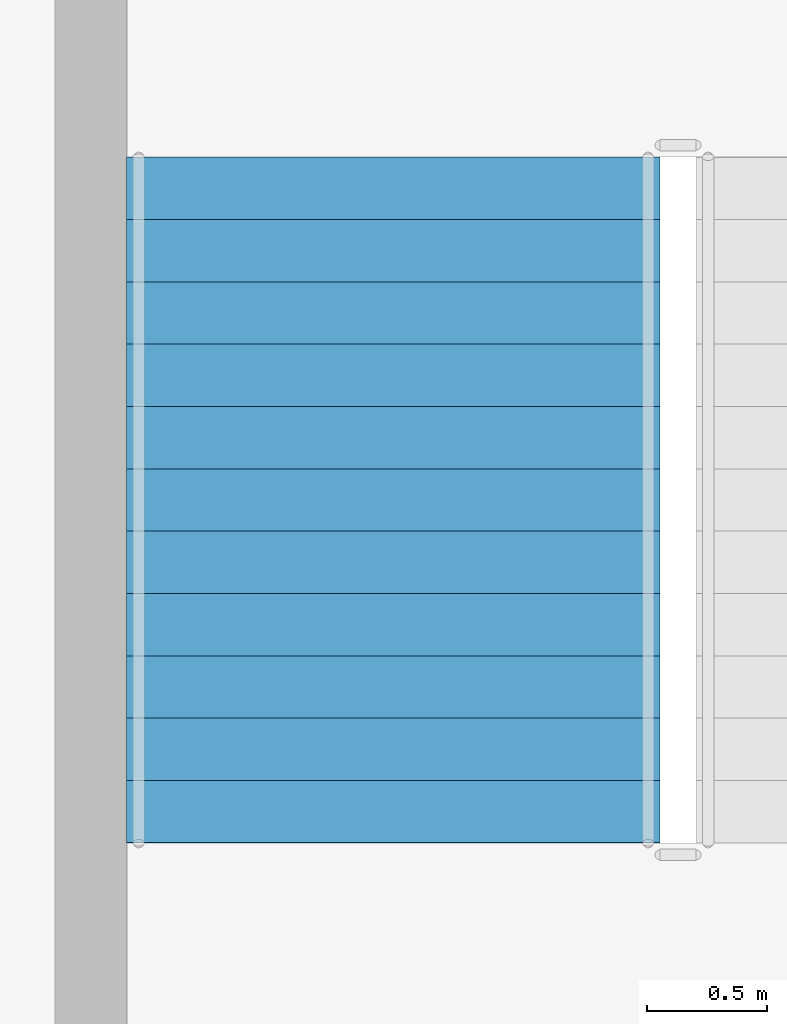
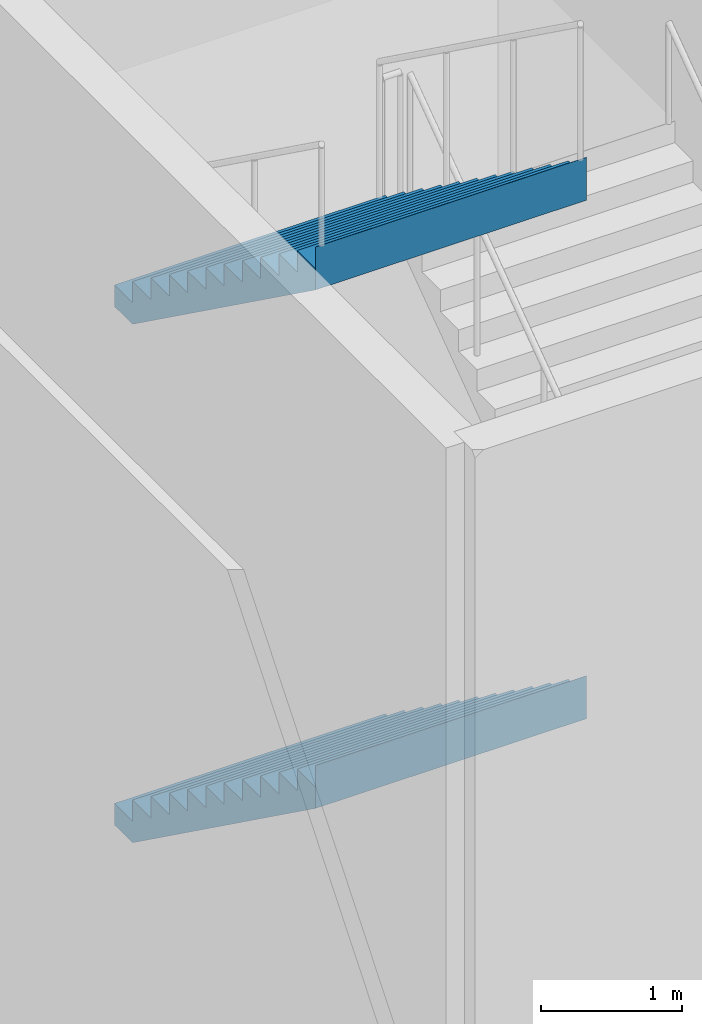
# One storey, part 25 of 35: 2 stair flights, 1 element without a shape of its own.
"""IFC4 building model written with IfcOpenShell, lengths in metres."""

from ifc_helpers import new_model, si_unit, direction, frame, origin, place, context, subcontext, project, spatial, triangles, material, type_object, element, aggregate, save


model = new_model("IFC4")

# Units and contexts
model_context = context("Model", 3, precision=1e-05, world=origin(), true_north=direction((0.0, 1.0)))
body_context = subcontext(model_context, "Body", "Model", "MODEL_VIEW")
ifc_project = project(units=[si_unit("LENGTHUNIT", "METRE"), si_unit("AREAUNIT", "SQUARE_METRE"), si_unit("VOLUMEUNIT", "CUBIC_METRE"), si_unit("PLANEANGLEUNIT", "RADIAN"), si_unit("MASSUNIT", "GRAM", prefix="KILO")], contexts=[model_context])

# Site, building, storey
site_placement = place(None, origin())
site = spatial("IfcSite", under=ifc_project, at=site_placement, CompositionType="ELEMENT")
building_placement = place(site_placement, origin())
building = spatial("IfcBuilding", under=site, at=building_placement, Name="Sahrelin Media Tower", CompositionType="ELEMENT")
storey_placement = place(building_placement, frame((0.0, 0.0, 17.0)))
storey = spatial("IfcBuildingStorey", under=building, at=storey_placement, Name="L02", CompositionType="ELEMENT", Elevation=17.0)

# Stair, stair flights
ifc_material = material(Name="Concrete C40/50", Category="concrete")
stair_type = type_object("IfcStairType", Name="Podium stair 2225", PredefinedType="HALF_TURN_STAIR", material=ifc_material)
stair_placement = place(storey_placement, origin())
stair = element("IfcStair", 1, at=stair_placement, inside=storey, type_object=stair_type, Name="L02 Podium stair PS1", PredefinedType="HALF_TURN_STAIR")
stair_flight_type = type_object("IfcStairFlightType", Name="Stair flight 2225", PredefinedType="STRAIGHT", material=ifc_material)
stair_flight_1_placement = place(storey_placement, frame((9.46240234375, 33.485107421875, 2.25), z_axis=(0.0, 0.0, 1.0), x_axis=(0.0, -1.0, 0.0)))
stair_flight_1 = element("IfcStairFlight", 2, at=stair_flight_1_placement, type_object=stair_flight_type, Name="PS1 flight 2", NumberOfRisers=12, NumberOfTreads=11, PredefinedType="STRAIGHT", RiserHeight=0.1875, TreadLength=0.26, context=body_context, shape_type="Tessellation", body=[
    triangles([(0.25634765625, 1.112548828125, 0.0), (0.25634765625, 0.794677734375, 0.0), (0.25634765625, 0.476806640625, 0.0), (0.25634765625, 0.158935546875, 0.0), (0.25634765625, -0.158935546875, 0.0), (0.25634765625, -0.476806640625, 0.0), (0.25634765625, -0.794677734375, 0.0), (0.25634765625, -1.112548828125, 0.0), (2.860107421875, 1.112548828125, 1.877685546875), (2.860107421875, 0.794677734375, 1.877685546875), (2.860107421875, 0.476806640625, 1.877685546875), (2.860107421875, 0.158935546875, 1.877685546875), (2.860107421875, -0.158935546875, 1.877685546875), (2.860107421875, -0.476806640625, 1.877685546875), (2.860107421875, -0.794677734375, 1.877685546875), (2.860107421875, -1.112548828125, 1.877685546875), (2.860107421875, 1.112548828125, 2.25), (2.860107421875, 0.794677734375, 2.25), (2.860107421875, 0.476806640625, 2.25), (2.860107421875, 0.158935546875, 2.25), (2.860107421875, -0.158935546875, 2.25), (2.860107421875, -0.476806640625, 2.25), (2.860107421875, -0.794677734375, 2.25), (2.860107421875, -1.112548828125, 2.25), (2.85791015625, 1.112548828125, 2.25), (2.85791015625, 0.794677734375, 2.25), (2.85791015625, 0.476806640625, 2.25), (2.85791015625, 0.158935546875, 2.25), (2.85791015625, -0.158935546875, 2.25), (2.85791015625, -0.476806640625, 2.25), (2.85791015625, -0.794677734375, 2.25), (2.85791015625, -1.112548828125, 2.25), (2.85791015625, 1.112548828125, 2.0625), (2.85791015625, 0.794677734375, 2.0625), (2.85791015625, 0.476806640625, 2.0625), (2.85791015625, 0.158935546875, 2.0625), (2.85791015625, -0.158935546875, 2.0625), (2.85791015625, -0.476806640625, 2.0625), (2.85791015625, -0.794677734375, 2.0625), (2.85791015625, -1.112548828125, 2.0625), (2.60009765625, 1.112548828125, 2.0625), (2.60009765625, 0.794677734375, 2.0625), (2.60009765625, 0.476806640625, 2.0625), (2.60009765625, 0.158935546875, 2.0625), (2.60009765625, -0.158935546875, 2.0625), (2.60009765625, -0.476806640625, 2.0625), (2.60009765625, -0.794677734375, 2.0625), (2.60009765625, -1.112548828125, 2.0625), (2.60009765625, 1.112548828125, 1.875), (2.60009765625, 0.794677734375, 1.875), (2.60009765625, 0.476806640625, 1.875), (2.60009765625, 0.158935546875, 1.875), (2.60009765625, -0.158935546875, 1.875), (2.60009765625, -0.476806640625, 1.875), (2.60009765625, -0.794677734375, 1.875), (2.60009765625, -1.112548828125, 1.875), (2.340087890625, 1.112548828125, 1.875), (2.340087890625, 0.794677734375, 1.875), (2.340087890625, 0.476806640625, 1.875), (2.340087890625, 0.158935546875, 1.875), (2.340087890625, -0.158935546875, 1.875), (2.340087890625, -0.476806640625, 1.875), (2.340087890625, -0.794677734375, 1.875), (2.340087890625, -1.112548828125, 1.875), (2.340087890625, 1.112548828125, 1.6875), (2.340087890625, 0.794677734375, 1.6875), (2.340087890625, 0.476806640625, 1.6875), (2.340087890625, 0.158935546875, 1.6875), (2.340087890625, -0.158935546875, 1.6875), (2.340087890625, -0.476806640625, 1.6875), (2.340087890625, -0.794677734375, 1.6875), (2.340087890625, -1.112548828125, 1.6875), (2.080078125, 1.112548828125, 1.6875), (2.080078125, 0.794677734375, 1.6875), (2.080078125, 0.476806640625, 1.6875), (2.080078125, 0.158935546875, 1.6875), (2.080078125, -0.158935546875, 1.6875), (2.080078125, -0.476806640625, 1.6875), (2.080078125, -0.794677734375, 1.6875), (2.080078125, -1.112548828125, 1.6875), (2.080078125, 1.112548828125, 1.5), (2.080078125, 0.794677734375, 1.5), (2.080078125, 0.476806640625, 1.5), (2.080078125, 0.158935546875, 1.5), (2.080078125, -0.158935546875, 1.5), (2.080078125, -0.476806640625, 1.5), (2.080078125, -0.794677734375, 1.5), (2.080078125, -1.112548828125, 1.5), (1.820068359375, 1.112548828125, 1.5), (1.820068359375, 0.794677734375, 1.5), (1.820068359375, 0.476806640625, 1.5), (1.820068359375, 0.158935546875, 1.5), (1.820068359375, -0.158935546875, 1.5), (1.820068359375, -0.476806640625, 1.5), (1.820068359375, -0.794677734375, 1.5), (1.820068359375, -1.112548828125, 1.5), (1.820068359375, 1.112548828125, 1.3125), (1.820068359375, 0.794677734375, 1.3125), (1.820068359375, 0.476806640625, 1.3125), (1.820068359375, 0.158935546875, 1.3125), (1.820068359375, -0.158935546875, 1.3125), (1.820068359375, -0.476806640625, 1.3125), (1.820068359375, -0.794677734375, 1.3125), (1.820068359375, -1.112548828125, 1.3125), (1.56005859375, 1.112548828125, 1.3125), (1.56005859375, 0.794677734375, 1.3125), (1.56005859375, 0.476806640625, 1.3125), (1.56005859375, 0.158935546875, 1.3125), (1.56005859375, -0.158935546875, 1.3125), (1.56005859375, -0.476806640625, 1.3125), (1.56005859375, -0.794677734375, 1.3125), (1.56005859375, -1.112548828125, 1.3125), (1.56005859375, 1.112548828125, 1.125), (1.56005859375, 0.794677734375, 1.125), (1.56005859375, 0.476806640625, 1.125), (1.56005859375, 0.158935546875, 1.125), (1.56005859375, -0.158935546875, 1.125), (1.56005859375, -0.476806640625, 1.125), (1.56005859375, -0.794677734375, 1.125), (1.56005859375, -1.112548828125, 1.125), (1.300048828125, 1.112548828125, 1.125), (1.300048828125, 0.794677734375, 1.125), (1.300048828125, 0.476806640625, 1.125), (1.300048828125, 0.158935546875, 1.125), (1.300048828125, -0.158935546875, 1.125), (1.300048828125, -0.476806640625, 1.125), (1.300048828125, -0.794677734375, 1.125), (1.300048828125, -1.112548828125, 1.125), (1.300048828125, 1.112548828125, 0.9375), (1.300048828125, 0.794677734375, 0.9375), (1.300048828125, 0.476806640625, 0.9375), (1.300048828125, 0.158935546875, 0.9375), (1.300048828125, -0.158935546875, 0.9375), (1.300048828125, -0.476806640625, 0.9375), (1.300048828125, -0.794677734375, 0.9375), (1.300048828125, -1.112548828125, 0.9375), (1.0400390625, 1.112548828125, 0.9375), (1.0400390625, 0.794677734375, 0.9375), (1.0400390625, 0.476806640625, 0.9375), (1.0400390625, 0.158935546875, 0.9375), (1.0400390625, -0.158935546875, 0.9375), (1.0400390625, -0.476806640625, 0.9375), (1.0400390625, -0.794677734375, 0.9375), (1.0400390625, -1.112548828125, 0.9375), (1.0400390625, 1.112548828125, 0.75), (1.0400390625, 0.794677734375, 0.75), (1.0400390625, 0.476806640625, 0.75), (1.0400390625, 0.158935546875, 0.75), (1.0400390625, -0.158935546875, 0.75), (1.0400390625, -0.476806640625, 0.75), (1.0400390625, -0.794677734375, 0.75), (1.0400390625, -1.112548828125, 0.75), (0.780029296875, 1.112548828125, 0.75), (0.780029296875, 0.794677734375, 0.75), (0.780029296875, 0.476806640625, 0.75), (0.780029296875, 0.158935546875, 0.75), (0.780029296875, -0.158935546875, 0.75), (0.780029296875, -0.476806640625, 0.75), (0.780029296875, -0.794677734375, 0.75), (0.780029296875, -1.112548828125, 0.75), (0.780029296875, 1.112548828125, 0.5625), (0.780029296875, 0.794677734375, 0.5625), (0.780029296875, 0.476806640625, 0.5625), (0.780029296875, 0.158935546875, 0.5625), (0.780029296875, -0.158935546875, 0.5625), (0.780029296875, -0.476806640625, 0.5625), (0.780029296875, -0.794677734375, 0.5625), (0.780029296875, -1.112548828125, 0.5625), (0.52001953125, 1.112548828125, 0.5625), (0.52001953125, 0.794677734375, 0.5625), (0.52001953125, 0.476806640625, 0.5625), (0.52001953125, 0.158935546875, 0.5625), (0.52001953125, -0.158935546875, 0.5625), (0.52001953125, -0.476806640625, 0.5625), (0.52001953125, -0.794677734375, 0.5625), (0.52001953125, -1.112548828125, 0.5625), (0.52001953125, 1.112548828125, 0.375), (0.52001953125, 0.794677734375, 0.375), (0.52001953125, 0.476806640625, 0.375), (0.52001953125, 0.158935546875, 0.375), (0.52001953125, -0.158935546875, 0.375), (0.52001953125, -0.476806640625, 0.375), (0.52001953125, -0.794677734375, 0.375), (0.52001953125, -1.112548828125, 0.375), (0.260009765625, 1.112548828125, 0.375), (0.260009765625, 0.794677734375, 0.375), (0.260009765625, 0.476806640625, 0.375), (0.260009765625, 0.158935546875, 0.375), (0.260009765625, -0.158935546875, 0.375), (0.260009765625, -0.476806640625, 0.375), (0.260009765625, -0.794677734375, 0.375), (0.260009765625, -1.112548828125, 0.375), (0.260009765625, 1.112548828125, 0.1875), (0.260009765625, 0.794677734375, 0.1875), (0.260009765625, 0.476806640625, 0.1875), (0.260009765625, 0.158935546875, 0.1875), (0.260009765625, -0.158935546875, 0.1875), (0.260009765625, -0.476806640625, 0.1875), (0.260009765625, -0.794677734375, 0.1875), (0.260009765625, -1.112548828125, 0.1875), (0.0, 1.112548828125, 0.1875), (0.0, 0.794677734375, 0.1875), (0.0, 0.476806640625, 0.1875), (0.0, 0.158935546875, 0.1875), (0.0, -0.158935546875, 0.1875), (0.0, -0.476806640625, 0.1875), (0.0, -0.794677734375, 0.1875), (0.0, -1.112548828125, 0.1875), (0.0, 1.112548828125, 0.0), (0.0, 0.794677734375, 0.0), (0.0, 0.476806640625, 0.0), (0.0, 0.158935546875, 0.0), (0.0, -0.158935546875, 0.0), (0.0, -0.476806640625, 0.0), (0.0, -0.794677734375, 0.0), (0.0, -1.112548828125, 0.0)], [[1, 9, 10], [1, 10, 2], [2, 10, 11], [2, 11, 3], [3, 11, 12], [3, 12, 4], [4, 12, 13], [4, 13, 5], [5, 13, 14], [5, 14, 6], [6, 14, 15], [6, 15, 7], [7, 15, 16], [7, 16, 8], [9, 17, 18], [9, 18, 10], [10, 18, 19], [10, 19, 11], [11, 19, 20], [11, 20, 12], [12, 20, 21], [12, 21, 13], [13, 21, 22], [13, 22, 14], [14, 22, 23], [14, 23, 15], [15, 23, 24], [15, 24, 16], [17, 25, 26], [17, 26, 18], [18, 26, 27], [18, 27, 19], [19, 27, 28], [19, 28, 20], [20, 28, 29], [20, 29, 21], [21, 29, 30], [21, 30, 22], [22, 30, 31], [22, 31, 23], [23, 31, 32], [23, 32, 24], [25, 33, 34], [25, 34, 26], [26, 34, 35], [26, 35, 27], [27, 35, 36], [27, 36, 28], [28, 36, 37], [28, 37, 29], [29, 37, 38], [29, 38, 30], [30, 38, 39], [30, 39, 31], [31, 39, 40], [31, 40, 32], [33, 41, 42], [33, 42, 34], [34, 42, 43], [34, 43, 35], [35, 43, 44], [35, 44, 36], [36, 44, 45], [36, 45, 37], [37, 45, 46], [37, 46, 38], [38, 46, 47], [38, 47, 39], [39, 47, 48], [39, 48, 40], [41, 49, 50], [41, 50, 42], [42, 50, 51], [42, 51, 43], [43, 51, 52], [43, 52, 44], [44, 52, 53], [44, 53, 45], [45, 53, 54], [45, 54, 46], [46, 54, 55], [46, 55, 47], [47, 55, 56], [47, 56, 48], [49, 57, 58], [49, 58, 50], [50, 58, 59], [50, 59, 51], [51, 59, 60], [51, 60, 52], [52, 60, 61], [52, 61, 53], [53, 61, 62], [53, 62, 54], [54, 62, 63], [54, 63, 55], [55, 63, 64], [55, 64, 56], [57, 65, 66], [57, 66, 58], [58, 66, 67], [58, 67, 59], [59, 67, 68], [59, 68, 60], [60, 68, 69], [60, 69, 61], [61, 69, 70], [61, 70, 62], [62, 70, 71], [62, 71, 63], [63, 71, 72], [63, 72, 64], [65, 73, 74], [65, 74, 66], [66, 74, 75], [66, 75, 67], [67, 75, 76], [67, 76, 68], [68, 76, 77], [68, 77, 69], [69, 77, 78], [69, 78, 70], [70, 78, 79], [70, 79, 71], [71, 79, 80], [71, 80, 72], [73, 81, 82], [73, 82, 74], [74, 82, 83], [74, 83, 75], [75, 83, 84], [75, 84, 76], [76, 84, 85], [76, 85, 77], [77, 85, 86], [77, 86, 78], [78, 86, 87], [78, 87, 79], [79, 87, 88], [79, 88, 80], [81, 89, 90], [81, 90, 82], [82, 90, 91], [82, 91, 83], [83, 91, 92], [83, 92, 84], [84, 92, 93], [84, 93, 85], [85, 93, 94], [85, 94, 86], [86, 94, 95], [86, 95, 87], [87, 95, 96], [87, 96, 88], [89, 97, 98], [89, 98, 90], [90, 98, 99], [90, 99, 91], [91, 99, 100], [91, 100, 92], [92, 100, 101], [92, 101, 93], [93, 101, 102], [93, 102, 94], [94, 102, 103], [94, 103, 95], [95, 103, 104], [95, 104, 96], [97, 105, 106], [97, 106, 98], [98, 106, 107], [98, 107, 99], [99, 107, 108], [99, 108, 100], [100, 108, 109], [100, 109, 101], [101, 109, 110], [101, 110, 102], [102, 110, 111], [102, 111, 103], [103, 111, 112], [103, 112, 104], [105, 113, 114], [105, 114, 106], [106, 114, 115], [106, 115, 107], [107, 115, 116], [107, 116, 108], [108, 116, 117], [108, 117, 109], [109, 117, 118], [109, 118, 110], [110, 118, 119], [110, 119, 111], [111, 119, 120], [111, 120, 112], [113, 121, 122], [113, 122, 114], [114, 122, 123], [114, 123, 115], [115, 123, 124], [115, 124, 116], [116, 124, 125], [116, 125, 117], [117, 125, 126], [117, 126, 118], [118, 126, 127], [118, 127, 119], [119, 127, 128], [119, 128, 120], [121, 129, 130], [121, 130, 122], [122, 130, 131], [122, 131, 123], [123, 131, 132], [123, 132, 124], [124, 132, 133], [124, 133, 125], [125, 133, 134], [125, 134, 126], [126, 134, 135], [126, 135, 127], [127, 135, 136], [127, 136, 128], [129, 137, 138], [129, 138, 130], [130, 138, 139], [130, 139, 131], [131, 139, 140], [131, 140, 132], [132, 140, 141], [132, 141, 133], [133, 141, 142], [133, 142, 134], [134, 142, 143], [134, 143, 135], [135, 143, 144], [135, 144, 136], [137, 145, 146], [137, 146, 138], [138, 146, 147], [138, 147, 139], [139, 147, 148], [139, 148, 140], [140, 148, 149], [140, 149, 141], [141, 149, 150], [141, 150, 142], [142, 150, 151], [142, 151, 143], [143, 151, 152], [143, 152, 144], [145, 153, 154], [145, 154, 146], [146, 154, 155], [146, 155, 147], [147, 155, 156], [147, 156, 148], [148, 156, 157], [148, 157, 149], [149, 157, 158], [149, 158, 150], [150, 158, 159], [150, 159, 151], [151, 159, 160], [151, 160, 152], [153, 161, 162], [153, 162, 154], [154, 162, 163], [154, 163, 155], [155, 163, 164], [155, 164, 156], [156, 164, 165], [156, 165, 157], [157, 165, 166], [157, 166, 158], [158, 166, 167], [158, 167, 159], [159, 167, 168], [159, 168, 160], [161, 169, 170], [161, 170, 162], [162, 170, 171], [162, 171, 163], [163, 171, 172], [163, 172, 164], [164, 172, 173], [164, 173, 165], [165, 173, 174], [165, 174, 166], [166, 174, 175], [166, 175, 167], [167, 175, 176], [167, 176, 168], [169, 177, 178], [169, 178, 170], [170, 178, 179], [170, 179, 171], [171, 179, 180], [171, 180, 172], [172, 180, 181], [172, 181, 173], [173, 181, 182], [173, 182, 174], [174, 182, 183], [174, 183, 175], [175, 183, 184], [175, 184, 176], [177, 185, 186], [177, 186, 178], [178, 186, 187], [178, 187, 179], [179, 187, 188], [179, 188, 180], [180, 188, 189], [180, 189, 181], [181, 189, 190], [181, 190, 182], [182, 190, 191], [182, 191, 183], [183, 191, 192], [183, 192, 184], [185, 193, 194], [185, 194, 186], [186, 194, 195], [186, 195, 187], [187, 195, 196], [187, 196, 188], [188, 196, 197], [188, 197, 189], [189, 197, 198], [189, 198, 190], [190, 198, 199], [190, 199, 191], [191, 199, 200], [191, 200, 192], [193, 201, 202], [193, 202, 194], [194, 202, 203], [194, 203, 195], [195, 203, 204], [195, 204, 196], [196, 204, 205], [196, 205, 197], [197, 205, 206], [197, 206, 198], [198, 206, 207], [198, 207, 199], [199, 207, 208], [199, 208, 200], [201, 209, 210], [201, 210, 202], [202, 210, 211], [202, 211, 203], [203, 211, 212], [203, 212, 204], [204, 212, 213], [204, 213, 205], [205, 213, 214], [205, 214, 206], [206, 214, 215], [206, 215, 207], [207, 215, 216], [207, 216, 208], [209, 1, 2], [209, 2, 210], [210, 2, 3], [210, 3, 211], [211, 3, 4], [211, 4, 212], [212, 4, 5], [212, 5, 213], [213, 5, 6], [213, 6, 214], [214, 6, 7], [214, 7, 215], [215, 7, 8], [215, 8, 216], [8, 208, 216], [1, 209, 201], [200, 184, 192], [193, 185, 177], [184, 168, 176], [177, 169, 161], [168, 152, 160], [161, 153, 145], [152, 136, 144], [145, 137, 129], [136, 120, 128], [129, 121, 113], [120, 104, 112], [113, 105, 97], [104, 88, 96], [97, 89, 81], [88, 72, 80], [81, 73, 65], [72, 56, 64], [65, 57, 49], [56, 40, 48], [49, 41, 33], [40, 24, 32], [33, 25, 17], [8, 200, 208], [1, 201, 193], [16, 56, 72], [9, 65, 49], [40, 16, 24], [33, 17, 9], [184, 200, 8], [177, 1, 193], [56, 16, 40], [49, 33, 9], [168, 184, 8], [161, 1, 177], [72, 88, 16], [65, 9, 81], [152, 168, 8], [145, 1, 161], [104, 16, 88], [97, 81, 9], [136, 152, 8], [129, 1, 145], [120, 16, 104], [113, 97, 9], [120, 136, 8], [113, 1, 129], [8, 16, 120], [1, 113, 9]], closed=True),
])
stair_flight_2_placement = place(storey_placement, frame((9.46240234375, 33.485107421875, 6.75), z_axis=(0.0, 0.0, 1.0), x_axis=(0.0, -1.0, 0.0)))
stair_flight_2 = element("IfcStairFlight", 3, at=stair_flight_2_placement, type_object=stair_flight_type, Name="PS1 flight 4", NumberOfRisers=12, NumberOfTreads=11, PredefinedType="STRAIGHT", RiserHeight=0.1875, TreadLength=0.26, context=body_context, shape_type="Tessellation", body=[
    triangles([(0.25634765625, 1.112548828125, 0.0), (0.25634765625, 0.794677734375, 0.0), (0.25634765625, 0.476806640625, 0.0), (0.25634765625, 0.158935546875, 0.0), (0.25634765625, -0.158935546875, 0.0), (0.25634765625, -0.476806640625, 0.0), (0.25634765625, -0.794677734375, 0.0), (0.25634765625, -1.112548828125, 0.0), (2.860107421875, 1.112548828125, 1.877685546875), (2.860107421875, 0.794677734375, 1.877685546875), (2.860107421875, 0.476806640625, 1.877685546875), (2.860107421875, 0.158935546875, 1.877685546875), (2.860107421875, -0.158935546875, 1.877685546875), (2.860107421875, -0.476806640625, 1.877685546875), (2.860107421875, -0.794677734375, 1.877685546875), (2.860107421875, -1.112548828125, 1.877685546875), (2.860107421875, 1.112548828125, 2.25), (2.860107421875, 0.794677734375, 2.25), (2.860107421875, 0.476806640625, 2.25), (2.860107421875, 0.158935546875, 2.25), (2.860107421875, -0.158935546875, 2.25), (2.860107421875, -0.476806640625, 2.25), (2.860107421875, -0.794677734375, 2.25), (2.860107421875, -1.112548828125, 2.25), (2.85791015625, 1.112548828125, 2.25), (2.85791015625, 0.794677734375, 2.25), (2.85791015625, 0.476806640625, 2.25), (2.85791015625, 0.158935546875, 2.25), (2.85791015625, -0.158935546875, 2.25), (2.85791015625, -0.476806640625, 2.25), (2.85791015625, -0.794677734375, 2.25), (2.85791015625, -1.112548828125, 2.25), (2.85791015625, 1.112548828125, 2.0625), (2.85791015625, 0.794677734375, 2.0625), (2.85791015625, 0.476806640625, 2.0625), (2.85791015625, 0.158935546875, 2.0625), (2.85791015625, -0.158935546875, 2.0625), (2.85791015625, -0.476806640625, 2.0625), (2.85791015625, -0.794677734375, 2.0625), (2.85791015625, -1.112548828125, 2.0625), (2.60009765625, 1.112548828125, 2.0625), (2.60009765625, 0.794677734375, 2.0625), (2.60009765625, 0.476806640625, 2.0625), (2.60009765625, 0.158935546875, 2.0625), (2.60009765625, -0.158935546875, 2.0625), (2.60009765625, -0.476806640625, 2.0625), (2.60009765625, -0.794677734375, 2.0625), (2.60009765625, -1.112548828125, 2.0625), (2.60009765625, 1.112548828125, 1.875), (2.60009765625, 0.794677734375, 1.875), (2.60009765625, 0.476806640625, 1.875), (2.60009765625, 0.158935546875, 1.875), (2.60009765625, -0.158935546875, 1.875), (2.60009765625, -0.476806640625, 1.875), (2.60009765625, -0.794677734375, 1.875), (2.60009765625, -1.112548828125, 1.875), (2.340087890625, 1.112548828125, 1.875), (2.340087890625, 0.794677734375, 1.875), (2.340087890625, 0.476806640625, 1.875), (2.340087890625, 0.158935546875, 1.875), (2.340087890625, -0.158935546875, 1.875), (2.340087890625, -0.476806640625, 1.875), (2.340087890625, -0.794677734375, 1.875), (2.340087890625, -1.112548828125, 1.875), (2.340087890625, 1.112548828125, 1.6875), (2.340087890625, 0.794677734375, 1.6875), (2.340087890625, 0.476806640625, 1.6875), (2.340087890625, 0.158935546875, 1.6875), (2.340087890625, -0.158935546875, 1.6875), (2.340087890625, -0.476806640625, 1.6875), (2.340087890625, -0.794677734375, 1.6875), (2.340087890625, -1.112548828125, 1.6875), (2.080078125, 1.112548828125, 1.6875), (2.080078125, 0.794677734375, 1.6875), (2.080078125, 0.476806640625, 1.6875), (2.080078125, 0.158935546875, 1.6875), (2.080078125, -0.158935546875, 1.6875), (2.080078125, -0.476806640625, 1.6875), (2.080078125, -0.794677734375, 1.6875), (2.080078125, -1.112548828125, 1.6875), (2.080078125, 1.112548828125, 1.5), (2.080078125, 0.794677734375, 1.5), (2.080078125, 0.476806640625, 1.5), (2.080078125, 0.158935546875, 1.5), (2.080078125, -0.158935546875, 1.5), (2.080078125, -0.476806640625, 1.5), (2.080078125, -0.794677734375, 1.5), (2.080078125, -1.112548828125, 1.5), (1.820068359375, 1.112548828125, 1.5), (1.820068359375, 0.794677734375, 1.5), (1.820068359375, 0.476806640625, 1.5), (1.820068359375, 0.158935546875, 1.5), (1.820068359375, -0.158935546875, 1.5), (1.820068359375, -0.476806640625, 1.5), (1.820068359375, -0.794677734375, 1.5), (1.820068359375, -1.112548828125, 1.5), (1.820068359375, 1.112548828125, 1.3125), (1.820068359375, 0.794677734375, 1.3125), (1.820068359375, 0.476806640625, 1.3125), (1.820068359375, 0.158935546875, 1.3125), (1.820068359375, -0.158935546875, 1.3125), (1.820068359375, -0.476806640625, 1.3125), (1.820068359375, -0.794677734375, 1.3125), (1.820068359375, -1.112548828125, 1.3125), (1.56005859375, 1.112548828125, 1.3125), (1.56005859375, 0.794677734375, 1.3125), (1.56005859375, 0.476806640625, 1.3125), (1.56005859375, 0.158935546875, 1.3125), (1.56005859375, -0.158935546875, 1.3125), (1.56005859375, -0.476806640625, 1.3125), (1.56005859375, -0.794677734375, 1.3125), (1.56005859375, -1.112548828125, 1.3125), (1.56005859375, 1.112548828125, 1.125), (1.56005859375, 0.794677734375, 1.125), (1.56005859375, 0.476806640625, 1.125), (1.56005859375, 0.158935546875, 1.125), (1.56005859375, -0.158935546875, 1.125), (1.56005859375, -0.476806640625, 1.125), (1.56005859375, -0.794677734375, 1.125), (1.56005859375, -1.112548828125, 1.125), (1.300048828125, 1.112548828125, 1.125), (1.300048828125, 0.794677734375, 1.125), (1.300048828125, 0.476806640625, 1.125), (1.300048828125, 0.158935546875, 1.125), (1.300048828125, -0.158935546875, 1.125), (1.300048828125, -0.476806640625, 1.125), (1.300048828125, -0.794677734375, 1.125), (1.300048828125, -1.112548828125, 1.125), (1.300048828125, 1.112548828125, 0.9375), (1.300048828125, 0.794677734375, 0.9375), (1.300048828125, 0.476806640625, 0.9375), (1.300048828125, 0.158935546875, 0.9375), (1.300048828125, -0.158935546875, 0.9375), (1.300048828125, -0.476806640625, 0.9375), (1.300048828125, -0.794677734375, 0.9375), (1.300048828125, -1.112548828125, 0.9375), (1.0400390625, 1.112548828125, 0.9375), (1.0400390625, 0.794677734375, 0.9375), (1.0400390625, 0.476806640625, 0.9375), (1.0400390625, 0.158935546875, 0.9375), (1.0400390625, -0.158935546875, 0.9375), (1.0400390625, -0.476806640625, 0.9375), (1.0400390625, -0.794677734375, 0.9375), (1.0400390625, -1.112548828125, 0.9375), (1.0400390625, 1.112548828125, 0.75), (1.0400390625, 0.794677734375, 0.75), (1.0400390625, 0.476806640625, 0.75), (1.0400390625, 0.158935546875, 0.75), (1.0400390625, -0.158935546875, 0.75), (1.0400390625, -0.476806640625, 0.75), (1.0400390625, -0.794677734375, 0.75), (1.0400390625, -1.112548828125, 0.75), (0.780029296875, 1.112548828125, 0.75), (0.780029296875, 0.794677734375, 0.75), (0.780029296875, 0.476806640625, 0.75), (0.780029296875, 0.158935546875, 0.75), (0.780029296875, -0.158935546875, 0.75), (0.780029296875, -0.476806640625, 0.75), (0.780029296875, -0.794677734375, 0.75), (0.780029296875, -1.112548828125, 0.75), (0.780029296875, 1.112548828125, 0.5625), (0.780029296875, 0.794677734375, 0.5625), (0.780029296875, 0.476806640625, 0.5625), (0.780029296875, 0.158935546875, 0.5625), (0.780029296875, -0.158935546875, 0.5625), (0.780029296875, -0.476806640625, 0.5625), (0.780029296875, -0.794677734375, 0.5625), (0.780029296875, -1.112548828125, 0.5625), (0.52001953125, 1.112548828125, 0.5625), (0.52001953125, 0.794677734375, 0.5625), (0.52001953125, 0.476806640625, 0.5625), (0.52001953125, 0.158935546875, 0.5625), (0.52001953125, -0.158935546875, 0.5625), (0.52001953125, -0.476806640625, 0.5625), (0.52001953125, -0.794677734375, 0.5625), (0.52001953125, -1.112548828125, 0.5625), (0.52001953125, 1.112548828125, 0.375), (0.52001953125, 0.794677734375, 0.375), (0.52001953125, 0.476806640625, 0.375), (0.52001953125, 0.158935546875, 0.375), (0.52001953125, -0.158935546875, 0.375), (0.52001953125, -0.476806640625, 0.375), (0.52001953125, -0.794677734375, 0.375), (0.52001953125, -1.112548828125, 0.375), (0.260009765625, 1.112548828125, 0.375), (0.260009765625, 0.794677734375, 0.375), (0.260009765625, 0.476806640625, 0.375), (0.260009765625, 0.158935546875, 0.375), (0.260009765625, -0.158935546875, 0.375), (0.260009765625, -0.476806640625, 0.375), (0.260009765625, -0.794677734375, 0.375), (0.260009765625, -1.112548828125, 0.375), (0.260009765625, 1.112548828125, 0.1875), (0.260009765625, 0.794677734375, 0.1875), (0.260009765625, 0.476806640625, 0.1875), (0.260009765625, 0.158935546875, 0.1875), (0.260009765625, -0.158935546875, 0.1875), (0.260009765625, -0.476806640625, 0.1875), (0.260009765625, -0.794677734375, 0.1875), (0.260009765625, -1.112548828125, 0.1875), (0.0, 1.112548828125, 0.1875), (0.0, 0.794677734375, 0.1875), (0.0, 0.476806640625, 0.1875), (0.0, 0.158935546875, 0.1875), (0.0, -0.158935546875, 0.1875), (0.0, -0.476806640625, 0.1875), (0.0, -0.794677734375, 0.1875), (0.0, -1.112548828125, 0.1875), (0.0, 1.112548828125, 0.0), (0.0, 0.794677734375, 0.0), (0.0, 0.476806640625, 0.0), (0.0, 0.158935546875, 0.0), (0.0, -0.158935546875, 0.0), (0.0, -0.476806640625, 0.0), (0.0, -0.794677734375, 0.0), (0.0, -1.112548828125, 0.0)], [[1, 9, 10], [1, 10, 2], [2, 10, 11], [2, 11, 3], [3, 11, 12], [3, 12, 4], [4, 12, 13], [4, 13, 5], [5, 13, 14], [5, 14, 6], [6, 14, 15], [6, 15, 7], [7, 15, 16], [7, 16, 8], [9, 17, 18], [9, 18, 10], [10, 18, 19], [10, 19, 11], [11, 19, 20], [11, 20, 12], [12, 20, 21], [12, 21, 13], [13, 21, 22], [13, 22, 14], [14, 22, 23], [14, 23, 15], [15, 23, 24], [15, 24, 16], [17, 25, 26], [17, 26, 18], [18, 26, 27], [18, 27, 19], [19, 27, 28], [19, 28, 20], [20, 28, 29], [20, 29, 21], [21, 29, 30], [21, 30, 22], [22, 30, 31], [22, 31, 23], [23, 31, 32], [23, 32, 24], [25, 33, 34], [25, 34, 26], [26, 34, 35], [26, 35, 27], [27, 35, 36], [27, 36, 28], [28, 36, 37], [28, 37, 29], [29, 37, 38], [29, 38, 30], [30, 38, 39], [30, 39, 31], [31, 39, 40], [31, 40, 32], [33, 41, 42], [33, 42, 34], [34, 42, 43], [34, 43, 35], [35, 43, 44], [35, 44, 36], [36, 44, 45], [36, 45, 37], [37, 45, 46], [37, 46, 38], [38, 46, 47], [38, 47, 39], [39, 47, 48], [39, 48, 40], [41, 49, 50], [41, 50, 42], [42, 50, 51], [42, 51, 43], [43, 51, 52], [43, 52, 44], [44, 52, 53], [44, 53, 45], [45, 53, 54], [45, 54, 46], [46, 54, 55], [46, 55, 47], [47, 55, 56], [47, 56, 48], [49, 57, 58], [49, 58, 50], [50, 58, 59], [50, 59, 51], [51, 59, 60], [51, 60, 52], [52, 60, 61], [52, 61, 53], [53, 61, 62], [53, 62, 54], [54, 62, 63], [54, 63, 55], [55, 63, 64], [55, 64, 56], [57, 65, 66], [57, 66, 58], [58, 66, 67], [58, 67, 59], [59, 67, 68], [59, 68, 60], [60, 68, 69], [60, 69, 61], [61, 69, 70], [61, 70, 62], [62, 70, 71], [62, 71, 63], [63, 71, 72], [63, 72, 64], [65, 73, 74], [65, 74, 66], [66, 74, 75], [66, 75, 67], [67, 75, 76], [67, 76, 68], [68, 76, 77], [68, 77, 69], [69, 77, 78], [69, 78, 70], [70, 78, 79], [70, 79, 71], [71, 79, 80], [71, 80, 72], [73, 81, 82], [73, 82, 74], [74, 82, 83], [74, 83, 75], [75, 83, 84], [75, 84, 76], [76, 84, 85], [76, 85, 77], [77, 85, 86], [77, 86, 78], [78, 86, 87], [78, 87, 79], [79, 87, 88], [79, 88, 80], [81, 89, 90], [81, 90, 82], [82, 90, 91], [82, 91, 83], [83, 91, 92], [83, 92, 84], [84, 92, 93], [84, 93, 85], [85, 93, 94], [85, 94, 86], [86, 94, 95], [86, 95, 87], [87, 95, 96], [87, 96, 88], [89, 97, 98], [89, 98, 90], [90, 98, 99], [90, 99, 91], [91, 99, 100], [91, 100, 92], [92, 100, 101], [92, 101, 93], [93, 101, 102], [93, 102, 94], [94, 102, 103], [94, 103, 95], [95, 103, 104], [95, 104, 96], [97, 105, 106], [97, 106, 98], [98, 106, 107], [98, 107, 99], [99, 107, 108], [99, 108, 100], [100, 108, 109], [100, 109, 101], [101, 109, 110], [101, 110, 102], [102, 110, 111], [102, 111, 103], [103, 111, 112], [103, 112, 104], [105, 113, 114], [105, 114, 106], [106, 114, 115], [106, 115, 107], [107, 115, 116], [107, 116, 108], [108, 116, 117], [108, 117, 109], [109, 117, 118], [109, 118, 110], [110, 118, 119], [110, 119, 111], [111, 119, 120], [111, 120, 112], [113, 121, 122], [113, 122, 114], [114, 122, 123], [114, 123, 115], [115, 123, 124], [115, 124, 116], [116, 124, 125], [116, 125, 117], [117, 125, 126], [117, 126, 118], [118, 126, 127], [118, 127, 119], [119, 127, 128], [119, 128, 120], [121, 129, 130], [121, 130, 122], [122, 130, 131], [122, 131, 123], [123, 131, 132], [123, 132, 124], [124, 132, 133], [124, 133, 125], [125, 133, 134], [125, 134, 126], [126, 134, 135], [126, 135, 127], [127, 135, 136], [127, 136, 128], [129, 137, 138], [129, 138, 130], [130, 138, 139], [130, 139, 131], [131, 139, 140], [131, 140, 132], [132, 140, 141], [132, 141, 133], [133, 141, 142], [133, 142, 134], [134, 142, 143], [134, 143, 135], [135, 143, 144], [135, 144, 136], [137, 145, 146], [137, 146, 138], [138, 146, 147], [138, 147, 139], [139, 147, 148], [139, 148, 140], [140, 148, 149], [140, 149, 141], [141, 149, 150], [141, 150, 142], [142, 150, 151], [142, 151, 143], [143, 151, 152], [143, 152, 144], [145, 153, 154], [145, 154, 146], [146, 154, 155], [146, 155, 147], [147, 155, 156], [147, 156, 148], [148, 156, 157], [148, 157, 149], [149, 157, 158], [149, 158, 150], [150, 158, 159], [150, 159, 151], [151, 159, 160], [151, 160, 152], [153, 161, 162], [153, 162, 154], [154, 162, 163], [154, 163, 155], [155, 163, 164], [155, 164, 156], [156, 164, 165], [156, 165, 157], [157, 165, 166], [157, 166, 158], [158, 166, 167], [158, 167, 159], [159, 167, 168], [159, 168, 160], [161, 169, 170], [161, 170, 162], [162, 170, 171], [162, 171, 163], [163, 171, 172], [163, 172, 164], [164, 172, 173], [164, 173, 165], [165, 173, 174], [165, 174, 166], [166, 174, 175], [166, 175, 167], [167, 175, 176], [167, 176, 168], [169, 177, 178], [169, 178, 170], [170, 178, 179], [170, 179, 171], [171, 179, 180], [171, 180, 172], [172, 180, 181], [172, 181, 173], [173, 181, 182], [173, 182, 174], [174, 182, 183], [174, 183, 175], [175, 183, 184], [175, 184, 176], [177, 185, 186], [177, 186, 178], [178, 186, 187], [178, 187, 179], [179, 187, 188], [179, 188, 180], [180, 188, 189], [180, 189, 181], [181, 189, 190], [181, 190, 182], [182, 190, 191], [182, 191, 183], [183, 191, 192], [183, 192, 184], [185, 193, 194], [185, 194, 186], [186, 194, 195], [186, 195, 187], [187, 195, 196], [187, 196, 188], [188, 196, 197], [188, 197, 189], [189, 197, 198], [189, 198, 190], [190, 198, 199], [190, 199, 191], [191, 199, 200], [191, 200, 192], [193, 201, 202], [193, 202, 194], [194, 202, 203], [194, 203, 195], [195, 203, 204], [195, 204, 196], [196, 204, 205], [196, 205, 197], [197, 205, 206], [197, 206, 198], [198, 206, 207], [198, 207, 199], [199, 207, 208], [199, 208, 200], [201, 209, 210], [201, 210, 202], [202, 210, 211], [202, 211, 203], [203, 211, 212], [203, 212, 204], [204, 212, 213], [204, 213, 205], [205, 213, 214], [205, 214, 206], [206, 214, 215], [206, 215, 207], [207, 215, 216], [207, 216, 208], [209, 1, 2], [209, 2, 210], [210, 2, 3], [210, 3, 211], [211, 3, 4], [211, 4, 212], [212, 4, 5], [212, 5, 213], [213, 5, 6], [213, 6, 214], [214, 6, 7], [214, 7, 215], [215, 7, 8], [215, 8, 216], [8, 208, 216], [1, 209, 201], [200, 184, 192], [193, 185, 177], [184, 168, 176], [177, 169, 161], [168, 152, 160], [161, 153, 145], [152, 136, 144], [145, 137, 129], [136, 120, 128], [129, 121, 113], [120, 104, 112], [113, 105, 97], [104, 88, 96], [97, 89, 81], [88, 72, 80], [81, 73, 65], [72, 56, 64], [65, 57, 49], [56, 40, 48], [49, 41, 33], [40, 24, 32], [33, 25, 17], [8, 200, 208], [1, 201, 193], [16, 56, 72], [9, 65, 49], [40, 16, 24], [33, 17, 9], [184, 200, 8], [177, 1, 193], [56, 16, 40], [49, 33, 9], [168, 184, 8], [161, 1, 177], [72, 88, 16], [65, 9, 81], [152, 168, 8], [145, 1, 161], [104, 16, 88], [97, 81, 9], [136, 152, 8], [129, 1, 145], [120, 16, 104], [113, 97, 9], [120, 136, 8], [113, 1, 129], [8, 16, 120], [1, 113, 9]], closed=True),
])
aggregate(stair, [stair_flight_1, stair_flight_2])

save(model, "model.ifc")
